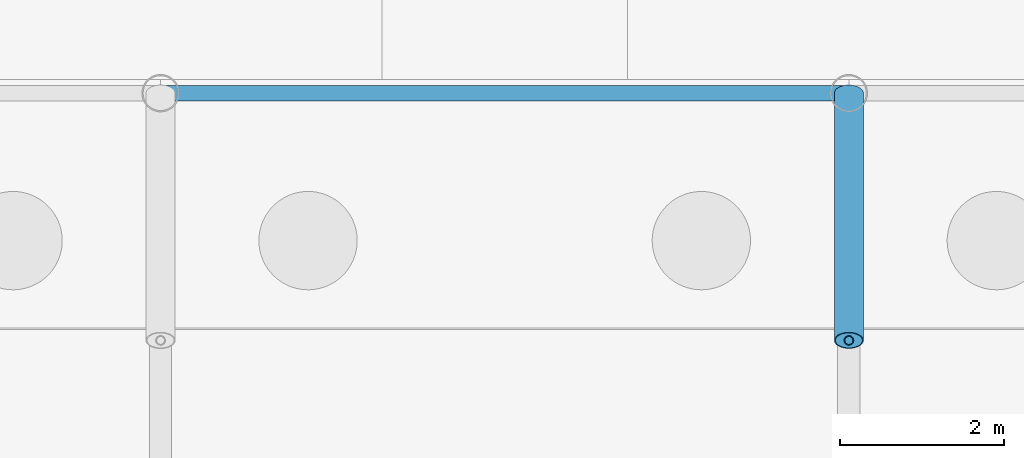
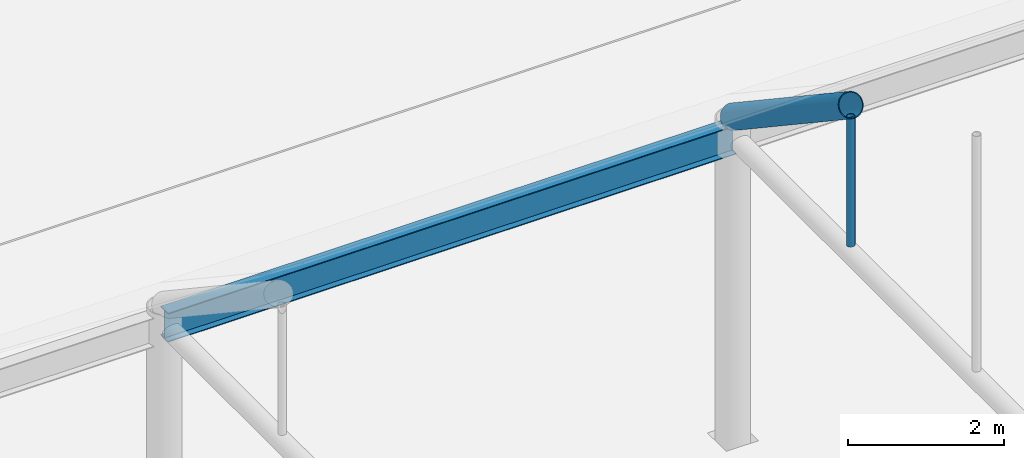
# One storey, part 75 of 212: 2 members, 1 beam.
"""IFC4 building model written with IfcOpenShell, lengths in metres."""

from ifc_helpers import new_model, si_unit, direction, frame, origin, origin_2d, place, context, subcontext, project, spatial, hollow_circle, i_section, extrude, material, material_profile, profile_set, type_object, element, save


model = new_model("IFC4")

# Units and contexts
model_context = context("Model", 3, precision=1e-05, world=origin(), true_north=direction((0.0, 1.0)))
body_context = subcontext(model_context, "Body", "Model", "MODEL_VIEW")
ifc_project = project(units=[si_unit("LENGTHUNIT", "METRE"), si_unit("AREAUNIT", "SQUARE_METRE"), si_unit("VOLUMEUNIT", "CUBIC_METRE"), si_unit("PLANEANGLEUNIT", "RADIAN"), si_unit("MASSUNIT", "GRAM", prefix="KILO")], contexts=[model_context])

# Site, building, storey
site_placement = place(None, origin())
site = spatial("IfcSite", under=ifc_project, at=site_placement, CompositionType="ELEMENT")
building_placement = place(site_placement, origin())
building = spatial("IfcBuilding", under=site, at=building_placement, Name="Catenary Quay Ferry Terminal", CompositionType="ELEMENT")
storey_placement = place(building_placement, origin())
storey = spatial("IfcBuildingStorey", under=building, at=storey_placement, Name="L00", CompositionType="ELEMENT", Elevation=0.0)

# Beam
ifc_material_1 = material(Name="Steel S355", Category="steel")
ifc_material_profile_1 = material_profile(ifc_material_1, i_section(OverallWidth=0.18994140625, OverallDepth=0.453369140625, WebThickness=0.008544921875, FlangeThickness=0.0126953125, at=origin_2d()), Name="UB 457x191x67")
ifc_profile_set_1 = profile_set([ifc_material_profile_1], Name="Steel S355")
beam_type = type_object("IfcBeamType", Name="B1 UB 457x191x67", PredefinedType="BEAM", material=ifc_profile_set_1)
beam_placement = place(storey_placement, frame((67.199951171875, 50.39990234375, 4.699951171875), z_axis=(1.0, 0.0, 0.0), x_axis=(0.0, 1.0, 0.0)))
element("IfcBeam", 1, at=beam_placement, inside=storey, type_object=beam_type, Name="Eaves beam B-CA7-7", PredefinedType="BEAM", context=body_context, shape_type="SweptSolid", body=[
    extrude(i_section(OverallWidth=0.18994140625, OverallDepth=0.453369140625, WebThickness=0.008544921875, FlangeThickness=0.0126953125, at=origin_2d()), origin(), (0.0, 0.0, 1.0), 8.400146484375),
])

# Members
ifc_material_2 = material(Name="Steel S355", Category="steel")
ifc_material_profile_2 = material_profile(ifc_material_2, hollow_circle(Radius=0.05712890625, WallThickness=0.00634765625, at=origin_2d()), Name="CHS 114.3x6.3")
ifc_profile_set_2 = profile_set([ifc_material_profile_2], Name="Steel S355")
member_type_1 = type_object("IfcMemberType", Name="HG1 CHS 114.3x6.3", PredefinedType="POST", material=ifc_profile_set_2)
member_1_placement = place(storey_placement, frame((75.60009765625, 47.382080078125, 4.830078125), z_axis=(0.0, 0.0, 1.0), x_axis=(1.0, 0.0, 0.0)))
element("IfcMember", 2, at=member_1_placement, inside=storey, type_object=member_type_1, Name="Hanger CA-08-09", PredefinedType="POST", context=body_context, shape_type="SweptSolid", body=[
    extrude(hollow_circle(Radius=0.05712890625, WallThickness=0.00634765625, at=origin_2d()), origin(), (0.0, 0.0, 1.0), 2.010986328125),
])
ifc_material_3 = material(Name="Steel S355", Category="steel")
ifc_material_profile_3 = material_profile(ifc_material_3, hollow_circle(Radius=0.177734375, WallThickness=0.012451171875, at=origin_2d()), Name="CHS 355.6x12.5")
ifc_profile_set_3 = profile_set([ifc_material_profile_3], Name="Steel S355")
member_type_2 = type_object("IfcMemberType", Name="VR1 CHS 355.6x12.5", PredefinedType="RAFTER", material=ifc_profile_set_3)
member_2_placement = place(storey_placement, frame((75.60009765625, 47.382080078125, 7.012939453125), z_axis=(0.0, 0.831915666545, -0.554902084837), x_axis=(-1.0, 0.0, 0.0)))
element("IfcMember", 3, at=member_2_placement, inside=storey, type_object=member_type_2, Name="rib CA-08-10", PredefinedType="RAFTER", context=body_context, shape_type="SweptSolid", body=[
    extrude(hollow_circle(Radius=0.177734375, WallThickness=0.012451171875, at=origin_2d()), origin(), (0.0, 0.0, 1.0), 3.62744140625),
])

save(model, "model.ifc")
